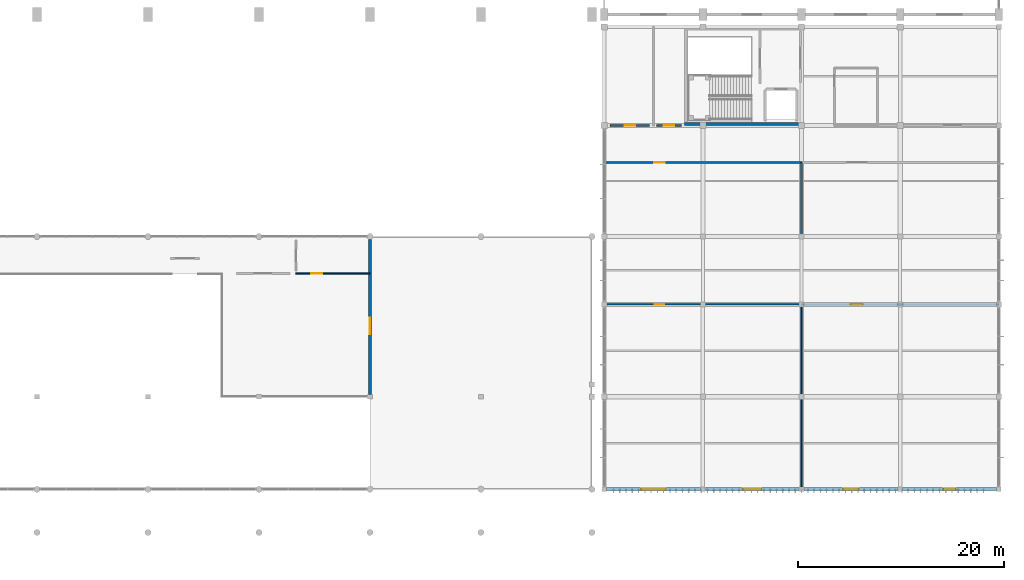
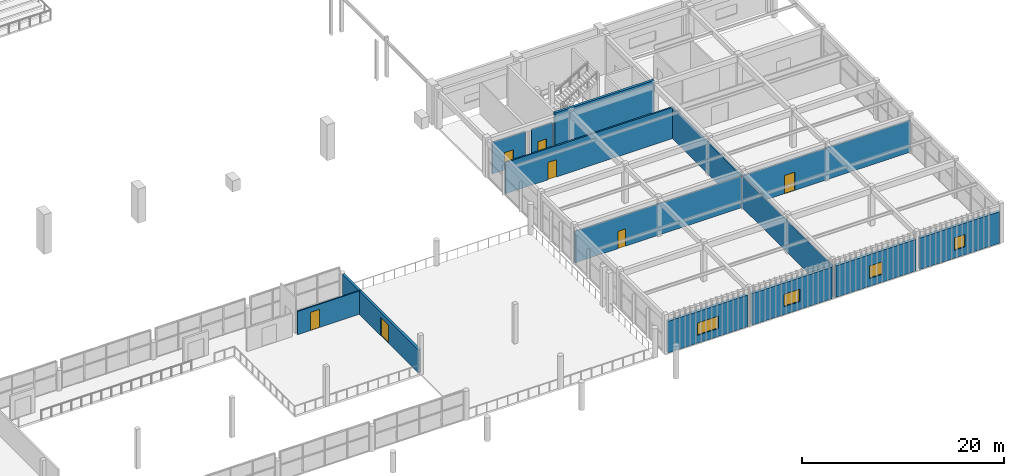
# One storey, part 53 of 74: 14 walls, 7 doors, 4 windows, 11 openings.
"""IFC4 building model written with IfcOpenShell, lengths in metres."""

from ifc_helpers import new_model, si_unit, direction, frame, frame_2d, origin, place, context, subcontext, project, spatial, rectangle, extrude, material, layer, layer_set, type_object, element, fill, save


model = new_model("IFC4")

# Units and contexts
model_context = context("Model", 3, precision=1e-05, world=origin(), true_north=direction((0.0, 1.0)))
body_context = subcontext(model_context, "Body", "Model", "MODEL_VIEW")
ifc_project = project(units=[si_unit("LENGTHUNIT", "METRE"), si_unit("AREAUNIT", "SQUARE_METRE"), si_unit("VOLUMEUNIT", "CUBIC_METRE"), si_unit("PLANEANGLEUNIT", "RADIAN"), si_unit("MASSUNIT", "GRAM", prefix="KILO")], contexts=[model_context])

# Site, building, storey
site_placement = place(None, origin())
site = spatial("IfcSite", under=ifc_project, at=site_placement, CompositionType="ELEMENT")
building_placement = place(site_placement, origin())
building = spatial("IfcBuilding", under=site, at=building_placement, Name="Suirenkawa Promenade Aquatics Centre", CompositionType="ELEMENT")
storey_placement = place(building_placement, frame((0.0, 0.0, 4.800048828125)))
storey = spatial("IfcBuildingStorey", under=building, at=storey_placement, Name="L01", CompositionType="ELEMENT", Elevation=4.800048828125)

# Wall, opening, door
ifc_material_1 = material(Name="Autoclaved aerated concrete blockwork Grade 1", Category="masonry")
ifc_layer_1 = layer(ifc_material_1, 0.199951171875, Name="Autoclaved aerated concrete blockwork Grade 1", Category="masonry")
ifc_layer_set_1 = layer_set([ifc_layer_1], Name="Autoclaved aerated concrete blockwork Grade 1")
wall_type_1 = type_object("IfcWallType", Name="WT-COMP-200", PredefinedType="PARTITIONING", material=ifc_layer_set_1)
wall_1_placement = place(storey_placement, frame((175.199951171875, 22.199951171875, 0.0), z_axis=(0.0, 0.0, 1.0), x_axis=(1.0, 0.0, 0.0)))
wall_1 = element("IfcWall", 1, at=wall_1_placement, inside=storey, type_object=wall_type_1, Name="Interior wall WL-PRT-01 W-7369", PredefinedType="PARTITIONING", context=body_context, shape_type="SweptSolid", body=[
    extrude(rectangle(XDim=19.199951171875, YDim=0.199951171875, at=frame_2d((9.60009765625, 0.0))), origin(), (0.0, 0.0, 1.0), 3.824951171875),
])
opening_1_placement = place(wall_1_placement, frame((4.801025390625, 0.0, 0.0)))
opening_1 = element("IfcOpeningElement", 2, at=opening_1_placement, cuts=wall_1, Name="Opening ID-03", PredefinedType="OPENING", context=body_context, shape_type="SweptSolid", body=[
    extrude(rectangle(XDim=1.14990234375, YDim=2.199951171875, at=frame_2d((0.574951171875, 1.10009765625))), frame((0.0, 0.10986328125, 0.0), z_axis=(0.0, -1.0, 0.0), x_axis=(1.0, 0.0, 0.0)), (0.0, 0.0, 1.0), 0.219970703125),
])
ifc_material_2 = material(Name="Steel IS 2062 E350 (Grade 350)", Category="steel")
door_type_1 = type_object("IfcDoorType", Name="DT-FD120-1150x2200", OperationType="NOTDEFINED", PredefinedType="DOOR", material=ifc_material_2)
door_1_placement = place(opening_1_placement, origin())
door_1 = element("IfcDoor", 3, at=door_1_placement, inside=storey, type_object=door_type_1, Name="Interior door ID-03 DR-INT-0216", OperationType="SINGLE_SWING_LEFT", OverallHeight=2.199951171875, OverallWidth=1.14990234375, PredefinedType="DOOR", context=body_context, shape_type="SweptSolid", body=[
    extrude(rectangle(XDim=1.14990234375, YDim=2.199951171875, at=frame_2d((0.574951171875, 1.10009765625))), frame((0.0, 0.02490234375, 0.0), z_axis=(0.0, -1.0, 0.0), x_axis=(1.0, 0.0, 0.0)), (0.0, 0.0, 1.0), 0.050048828125),
])
fill(opening_1, door_1)

# Wall
ifc_material_3 = material(Name="Concrete M40", Category="concrete")
ifc_layer_2 = layer(ifc_material_3, 0.280029296875, Name="Concrete M40", Category="concrete")
ifc_layer_set_2 = layer_set([ifc_layer_2], Name="Concrete M40")
wall_type_2 = type_object("IfcWallType", Name="WT-CORE-280", PredefinedType="SHEAR", material=ifc_layer_set_2)
wall_2_placement = place(storey_placement, frame((163.800048828125, 39.739990234375, 0.0), z_axis=(0.0, 0.0, 1.0), x_axis=(1.0, 0.0, 0.0)))
element("IfcWall", 4, at=wall_2_placement, inside=storey, type_object=wall_type_2, Name="C6 south core wall WL-CORE-02 W-0158", PredefinedType="SHEAR", context=body_context, shape_type="SweptSolid", body=[
    extrude(rectangle(XDim=11.39990234375, YDim=0.280029296875, at=frame_2d((5.699951171875, 0.0))), origin(), (0.0, 0.0, 1.0), 4.800048828125),
])

# Wall, opening, door
ifc_layer_3 = layer(ifc_material_3, 0.27001953125, Name="Concrete M40", Category="concrete")
ifc_layer_set_3 = layer_set([ifc_layer_3], Name="Concrete M40")
wall_type_3 = type_object("IfcWallType", Name="WT-EXT-270", PredefinedType="SOLIDWALL", material=ifc_layer_set_3)
wall_3_placement = place(storey_placement, frame((133.199951171875, 28.4951171875, 0.0), z_axis=(0.0, 0.0, 1.0), x_axis=(0.0, -1.0, 0.0)))
wall_3 = element("IfcWall", 5, at=wall_3_placement, inside=storey, type_object=wall_type_3, Name="Exterior wall WL-EXT-04 W-5047", PredefinedType="SOLIDWALL", context=body_context, shape_type="SweptSolid", body=[
    extrude(rectangle(XDim=15.065185546875, YDim=0.27001953125, at=frame_2d((7.53271484375, 0.0))), origin(), (0.0, 0.0, 1.0), 2.81005859375),
])
opening_2_placement = place(wall_3_placement, frame((7.60009765625, 0.0, 0.0)))
opening_2 = element("IfcOpeningElement", 6, at=opening_2_placement, cuts=wall_3, Name="Opening ED-08", PredefinedType="OPENING", context=body_context, shape_type="SweptSolid", body=[
    extrude(rectangle(XDim=1.60009765625, YDim=2.199951171875, at=frame_2d((0.800048828125, 1.10009765625))), frame((0.0, 0.14501953125, 0.0), z_axis=(0.0, -1.0, 0.0), x_axis=(1.0, 0.0, 0.0)), (0.0, 0.0, 1.0), 0.2900390625),
])
ifc_material_4 = material(Name="Anodised aluminium 6063-T6", Category="aluminium")
door_type_2 = type_object("IfcDoorType", Name="DT-EXT-TERR-1600x2200", OperationType="DOUBLE_DOOR_SINGLE_SWING", PredefinedType="DOOR", material=ifc_material_4)
door_2_placement = place(opening_2_placement, origin())
door_2 = element("IfcDoor", 7, at=door_2_placement, inside=storey, type_object=door_type_2, Name="Exterior door ED-08 DR-EXT-031", OperationType="DOUBLE_DOOR_SINGLE_SWING", OverallHeight=2.199951171875, OverallWidth=1.60009765625, PredefinedType="DOOR", context=body_context, shape_type="SweptSolid", body=[
    extrude(rectangle(XDim=1.60009765625, YDim=2.199951171875, at=frame_2d((0.800048828125, 1.10009765625))), frame((0.0, 0.02490234375, 0.0), z_axis=(0.0, -1.0, 0.0), x_axis=(1.0, 0.0, 0.0)), (0.0, 0.0, 1.0), 0.050048828125),
])
fill(opening_2, door_2)

# Wall, opening, window
ifc_layer_4 = layer(ifc_material_3, 0.31005859375, Name="Concrete M40", Category="concrete")
ifc_layer_set_4 = layer_set([ifc_layer_4], Name="Concrete M40")
wall_type_4 = type_object("IfcWallType", Name="WT-EXT-310", PredefinedType="SOLIDWALL", material=ifc_layer_set_4)
wall_4_placement = place(storey_placement, frame((165.3701171875, 4.199951171875, 0.0), z_axis=(0.0, 0.0, 1.0), x_axis=(-1.0, 0.0, 0.0)))
wall_4 = element("IfcWall", 8, at=wall_4_placement, inside=storey, type_object=wall_type_4, Name="Exterior wall WL-EXT-02 W-5049", PredefinedType="SOLIDWALL", context=body_context, shape_type="SweptSolid", body=[
    extrude(rectangle(XDim=9.14013671875, YDim=0.31005859375, at=frame_2d((4.570068359375, 0.0))), origin(), (0.0, 0.0, 1.0), 3.824951171875),
])
opening_3_placement = place(wall_4_placement, frame((3.3701171875, 0.0, 0.949951171875)))
opening_3 = element("IfcOpeningElement", 9, at=opening_3_placement, cuts=wall_4, Name="Opening WN-11", PredefinedType="OPENING", context=body_context, shape_type="SweptSolid", body=[
    extrude(rectangle(XDim=2.39990234375, YDim=1.5, at=frame_2d((1.199951171875, 0.75))), frame((0.0, 0.1650390625, 0.0), z_axis=(0.0, -1.0, 0.0), x_axis=(1.0, 0.0, 0.0)), (0.0, 0.0, 1.0), 0.330078125),
])
ifc_material_5 = material(Name="Low-E thermally broken double glazing", Category="glass")
window_type_1 = type_object("IfcWindowType", Name="WNT-STD-2400x1500", PartitioningType="SINGLE_PANEL", PredefinedType="WINDOW", material=ifc_material_5)
window_1_placement = place(opening_3_placement, origin())
window_1 = element("IfcWindow", 10, at=window_1_placement, inside=storey, type_object=window_type_1, Name="Window WN-11 WN-0012", OverallHeight=1.5, OverallWidth=2.39990234375, PartitioningType="SINGLE_PANEL", PredefinedType="WINDOW", context=body_context, shape_type="SweptSolid", body=[
    extrude(rectangle(XDim=2.39990234375, YDim=1.5, at=frame_2d((1.199951171875, 0.75))), frame((0.0, 0.030029296875, 0.0), z_axis=(0.0, -1.0, 0.0), x_axis=(1.0, 0.0, 0.0)), (0.0, 0.0, 1.0), 0.06005859375),
])
fill(opening_3, window_1)

wall_5_placement = place(storey_placement, frame((174.969970703125, 4.199951171875, 0.0), z_axis=(0.0, 0.0, 1.0), x_axis=(-1.0, 0.0, 0.0)))
wall_5 = element("IfcWall", 11, at=wall_5_placement, inside=storey, type_object=wall_type_4, Name="Exterior wall WL-EXT-02 W-5053", PredefinedType="SOLIDWALL", context=body_context, shape_type="SweptSolid", body=[
    extrude(rectangle(XDim=9.139892578125, YDim=0.31005859375, at=frame_2d((4.56982421875, 0.0))), origin(), (0.0, 0.0, 1.0), 3.824951171875),
])
opening_4_placement = place(wall_5_placement, frame((3.669921875, 0.0, 0.949951171875)))
opening_4 = element("IfcOpeningElement", 12, at=opening_4_placement, cuts=wall_5, Name="Opening WN-13", PredefinedType="OPENING", context=body_context, shape_type="SweptSolid", body=[
    extrude(rectangle(XDim=1.800048828125, YDim=1.5, at=frame_2d((0.89990234375, 0.75))), frame((0.0, 0.1650390625, 0.0), z_axis=(0.0, -1.0, 0.0), x_axis=(1.0, 0.0, 0.0)), (0.0, 0.0, 1.0), 0.330078125),
])
window_type_2 = type_object("IfcWindowType", Name="WNT-STD-1800x1500", PartitioningType="SINGLE_PANEL", PredefinedType="WINDOW", material=ifc_material_5)
window_2_placement = place(opening_4_placement, origin())
window_2 = element("IfcWindow", 13, at=window_2_placement, inside=storey, type_object=window_type_2, Name="Window WN-13 WN-0014", OverallHeight=1.5, OverallWidth=1.800048828125, PartitioningType="SINGLE_PANEL", PredefinedType="WINDOW", context=body_context, shape_type="SweptSolid", body=[
    extrude(rectangle(XDim=1.800048828125, YDim=1.5, at=frame_2d((0.89990234375, 0.75))), frame((0.0, 0.030029296875, 0.0), z_axis=(0.0, -1.0, 0.0), x_axis=(1.0, 0.0, 0.0)), (0.0, 0.0, 1.0), 0.06005859375),
])
fill(opening_4, window_2)

wall_6_placement = place(storey_placement, frame((184.570068359375, 4.199951171875, 0.0), z_axis=(0.0, 0.0, 1.0), x_axis=(-1.0, 0.0, 0.0)))
wall_6 = element("IfcWall", 14, at=wall_6_placement, inside=storey, type_object=wall_type_4, Name="Exterior wall WL-EXT-02 W-5056", PredefinedType="SOLIDWALL", context=body_context, shape_type="SweptSolid", body=[
    extrude(rectangle(XDim=9.14013671875, YDim=0.31005859375, at=frame_2d((4.570068359375, 0.0))), origin(), (0.0, 0.0, 1.0), 3.824951171875),
])
opening_5_placement = place(wall_6_placement, frame((3.820068359375, 0.0, 0.949951171875)))
opening_5 = element("IfcOpeningElement", 15, at=opening_5_placement, cuts=wall_6, Name="Opening WN-14", PredefinedType="OPENING", context=body_context, shape_type="SweptSolid", body=[
    extrude(rectangle(XDim=1.5, YDim=1.5, at=frame_2d((0.75, 0.75))), frame((0.0, 0.1650390625, 0.0), z_axis=(0.0, -1.0, 0.0), x_axis=(1.0, 0.0, 0.0)), (0.0, 0.0, 1.0), 0.330078125),
])
window_type_3 = type_object("IfcWindowType", Name="WNT-STD-1500x1500", PartitioningType="SINGLE_PANEL", PredefinedType="WINDOW", material=ifc_material_5)
window_3_placement = place(opening_5_placement, origin())
window_3 = element("IfcWindow", 16, at=window_3_placement, inside=storey, type_object=window_type_3, Name="Window WN-14 WN-0016", OverallHeight=1.5, OverallWidth=1.5, PartitioningType="SINGLE_PANEL", PredefinedType="WINDOW", context=body_context, shape_type="SweptSolid", body=[
    extrude(rectangle(XDim=1.5, YDim=1.5, at=frame_2d((0.75, 0.75))), frame((0.0, 0.030029296875, 0.0), z_axis=(0.0, -1.0, 0.0), x_axis=(1.0, 0.0, 0.0)), (0.0, 0.0, 1.0), 0.06005859375),
])
fill(opening_5, window_3)

wall_7_placement = place(storey_placement, frame((194.169921875, 4.199951171875, 0.0), z_axis=(0.0, 0.0, 1.0), x_axis=(-1.0, 0.0, 0.0)))
wall_7 = element("IfcWall", 17, at=wall_7_placement, inside=storey, type_object=wall_type_4, Name="Exterior wall WL-EXT-02 W-5060", PredefinedType="SOLIDWALL", context=body_context, shape_type="SweptSolid", body=[
    extrude(rectangle(XDim=9.139892578125, YDim=0.31005859375, at=frame_2d((4.56982421875, 0.0))), origin(), (0.0, 0.0, 1.0), 3.824951171875),
])
opening_6_placement = place(wall_7_placement, frame((3.969970703125, 0.0, 0.949951171875)))
opening_6 = element("IfcOpeningElement", 18, at=opening_6_placement, cuts=wall_7, Name="Opening WN-15", PredefinedType="OPENING", context=body_context, shape_type="SweptSolid", body=[
    extrude(rectangle(XDim=1.199951171875, YDim=1.5, at=frame_2d((0.60009765625, 0.75))), frame((0.0, 0.1650390625, 0.0), z_axis=(0.0, -1.0, 0.0), x_axis=(1.0, 0.0, 0.0)), (0.0, 0.0, 1.0), 0.330078125),
])
window_type_4 = type_object("IfcWindowType", Name="WNT-STD-1200x1500", PartitioningType="SINGLE_PANEL", PredefinedType="WINDOW", material=ifc_material_5)
window_4_placement = place(opening_6_placement, origin())
window_4 = element("IfcWindow", 19, at=window_4_placement, inside=storey, type_object=window_type_4, Name="Window WN-15 WN-0017", OverallHeight=1.5, OverallWidth=1.199951171875, PartitioningType="SINGLE_PANEL", PredefinedType="WINDOW", context=body_context, shape_type="SweptSolid", body=[
    extrude(rectangle(XDim=1.199951171875, YDim=1.5, at=frame_2d((0.60009765625, 0.75))), frame((0.0, 0.030029296875, 0.0), z_axis=(0.0, -1.0, 0.0), x_axis=(1.0, 0.0, 0.0)), (0.0, 0.0, 1.0), 0.06005859375),
])
fill(opening_6, window_4)

# Wall, opening, door
ifc_layer_5 = layer(ifc_material_1, 0.179931640625, Name="Autoclaved aerated concrete blockwork Grade 1", Category="masonry")
ifc_layer_set_5 = layer_set([ifc_layer_5], Name="Autoclaved aerated concrete blockwork Grade 1")
wall_type_5 = type_object("IfcWallType", Name="WT-FIRE-180", PredefinedType="PARTITIONING", material=ifc_layer_set_5)
wall_8_placement = place(storey_placement, frame((156.0, 36.0, 0.0), z_axis=(0.0, 0.0, 1.0), x_axis=(1.0, 0.0, 0.0)))
wall_8 = element("IfcWall", 20, at=wall_8_placement, inside=storey, type_object=wall_type_5, Name="Interior wall WL-PRT-02 W-7370", PredefinedType="PARTITIONING", context=body_context, shape_type="SweptSolid", body=[
    extrude(rectangle(XDim=19.199951171875, YDim=0.179931640625, at=frame_2d((9.60009765625, 0.0))), origin(), (0.0, 0.0, 1.0), 3.77490234375),
])
opening_7_placement = place(wall_8_placement, frame((4.8759765625, 0.0, 0.0)))
opening_7 = element("IfcOpeningElement", 21, at=opening_7_placement, cuts=wall_8, Name="Opening ID-07", PredefinedType="OPENING", context=body_context, shape_type="SweptSolid", body=[
    extrude(rectangle(XDim=1.0, YDim=2.10009765625, at=frame_2d((0.5, 1.050048828125))), frame((0.0, 0.099853515625, 0.0), z_axis=(0.0, -1.0, 0.0), x_axis=(1.0, 0.0, 0.0)), (0.0, 0.0, 1.0), 0.199951171875),
])
ifc_material_6 = material(Name="Engineered maple acoustic sports timber", Category="wood")
door_type_3 = type_object("IfcDoorType", Name="DT-FD60-1000x2100", OperationType="NOTDEFINED", PredefinedType="DOOR", material=ifc_material_6)
door_3_placement = place(opening_7_placement, origin())
door_3 = element("IfcDoor", 22, at=door_3_placement, inside=storey, type_object=door_type_3, Name="Interior door ID-07 DR-INT-0217", OperationType="SINGLE_SWING_RIGHT", OverallHeight=2.10009765625, OverallWidth=1.0, PredefinedType="DOOR", context=body_context, shape_type="SweptSolid", body=[
    extrude(rectangle(XDim=1.0, YDim=2.10009765625, at=frame_2d((0.5, 1.050048828125))), frame((0.0, 0.02490234375, 0.0), z_axis=(0.0, -1.0, 0.0), x_axis=(1.0, 0.0, 0.0)), (0.0, 0.0, 1.0), 0.050048828125),
])
fill(opening_7, door_3)

# Wall
wall_9_placement = place(storey_placement, frame((175.199951171875, 22.199951171875, 0.0), z_axis=(0.0, 0.0, 1.0), x_axis=(0.0, 1.0, 0.0)))
element("IfcWall", 23, at=wall_9_placement, inside=storey, type_object=wall_type_5, Name="Interior wall WL-PRT-02 W-7371", PredefinedType="PARTITIONING", context=body_context, shape_type="SweptSolid", body=[
    extrude(rectangle(XDim=13.800048828125, YDim=0.179931640625, at=frame_2d((6.89990234375, 0.0))), origin(), (0.0, 0.0, 1.0), 3.77490234375),
])

# Wall, opening, door
ifc_material_7 = material(Name="Moisture-resistant acoustic gypsum board")
ifc_layer_6 = layer(ifc_material_7, 0.1201171875, Name="Moisture-resistant acoustic gypsum board")
ifc_layer_set_6 = layer_set([ifc_layer_6], Name="Moisture-resistant acoustic gypsum board")
wall_type_6 = type_object("IfcWallType", Name="WT-LIGHT-120", PredefinedType="PARTITIONING", material=ifc_layer_set_6)
wall_10_placement = place(storey_placement, frame((156.0, 22.199951171875, 0.0), z_axis=(0.0, 0.0, 1.0), x_axis=(1.0, 0.0, 0.0)))
wall_10 = element("IfcWall", 24, at=wall_10_placement, inside=storey, type_object=wall_type_6, Name="Interior wall WL-PRT-05 W-7367", PredefinedType="PARTITIONING", context=body_context, shape_type="SweptSolid", body=[
    extrude(rectangle(XDim=19.199951171875, YDim=0.1201171875, at=frame_2d((9.60009765625, 0.0))), origin(), (0.0, 0.0, 1.0), 3.824951171875),
])
opening_8_placement = place(wall_10_placement, frame((4.926025390625, 0.0, 0.0)))
opening_8 = element("IfcOpeningElement", 25, at=opening_8_placement, cuts=wall_10, Name="Opening ID-12", PredefinedType="OPENING", context=body_context, shape_type="SweptSolid", body=[
    extrude(rectangle(XDim=0.89990234375, YDim=2.10009765625, at=frame_2d((0.449951171875, 1.050048828125))), frame((0.0, 0.070068359375, 0.0), z_axis=(0.0, -1.0, 0.0), x_axis=(1.0, 0.0, 0.0)), (0.0, 0.0, 1.0), 0.14013671875),
])
door_type_4 = type_object("IfcDoorType", Name="DT-STD-900x2100", OperationType="NOTDEFINED", PredefinedType="DOOR", material=ifc_material_6)
door_4_placement = place(opening_8_placement, origin())
door_4 = element("IfcDoor", 26, at=door_4_placement, inside=storey, type_object=door_type_4, Name="Interior door ID-12 DR-INT-0215", OperationType="SINGLE_SWING_RIGHT", OverallHeight=2.10009765625, OverallWidth=0.89990234375, PredefinedType="DOOR", context=body_context, shape_type="SweptSolid", body=[
    extrude(rectangle(XDim=0.89990234375, YDim=2.10009765625, at=frame_2d((0.449951171875, 1.050048828125))), frame((0.0, 0.02490234375, 0.0), z_axis=(0.0, -1.0, 0.0), x_axis=(1.0, 0.0, 0.0)), (0.0, 0.0, 1.0), 0.050048828125),
])
fill(opening_8, door_4)

# Wall
wall_11_placement = place(storey_placement, frame((175.199951171875, 4.199951171875, 0.0), z_axis=(0.0, 0.0, 1.0), x_axis=(0.0, 1.0, 0.0)))
element("IfcWall", 27, at=wall_11_placement, inside=storey, type_object=wall_type_6, Name="Interior wall WL-PRT-05 W-7368", PredefinedType="PARTITIONING", context=body_context, shape_type="SweptSolid", body=[
    extrude(rectangle(XDim=18.0, YDim=0.1201171875, at=frame_2d((9.0, 0.0))), origin(), (0.0, 0.0, 1.0), 3.824951171875),
])

# Wall, opening, door
ifc_layer_7 = layer(ifc_material_7, 0.139892578125, Name="Moisture-resistant acoustic gypsum board")
ifc_layer_set_7 = layer_set([ifc_layer_7], Name="Moisture-resistant acoustic gypsum board")
wall_type_7 = type_object("IfcWallType", Name="WT-STD-140", PredefinedType="PARTITIONING", material=ifc_layer_set_7)
wall_12_placement = place(storey_placement, frame((126.0, 25.199951171875, 0.0), z_axis=(0.0, 0.0, 1.0), x_axis=(1.0, 0.0, 0.0)))
wall_12 = element("IfcWall", 28, at=wall_12_placement, inside=storey, type_object=wall_type_7, Name="Interior wall WL-PRT-04 W-7357", PredefinedType="PARTITIONING", context=body_context, shape_type="SweptSolid", body=[
    extrude(rectangle(XDim=7.199951171875, YDim=0.139892578125, at=frame_2d((3.60009765625, 0.0))), origin(), (0.0, 0.0, 1.0), 2.823974609375),
])
opening_9_placement = place(wall_12_placement, frame((1.490966796875, 0.0, 0.0)))
opening_9 = element("IfcOpeningElement", 29, at=opening_9_placement, cuts=wall_12, Name="Opening ID-08", PredefinedType="OPENING", context=body_context, shape_type="SweptSolid", body=[
    extrude(rectangle(XDim=1.050048828125, YDim=2.199951171875, at=frame_2d((0.52490234375, 1.10009765625))), frame((0.0, 0.079833984375, 0.0), z_axis=(0.0, -1.0, 0.0), x_axis=(1.0, 0.0, 0.0)), (0.0, 0.0, 1.0), 0.159912109375),
])
door_type_5 = type_object("IfcDoorType", Name="DT-ACC-1050x2200", OperationType="NOTDEFINED", PredefinedType="DOOR", material=ifc_material_4)
door_5_placement = place(opening_9_placement, origin())
door_5 = element("IfcDoor", 30, at=door_5_placement, inside=storey, type_object=door_type_5, Name="Interior door ID-08 DR-INT-0209", OperationType="SINGLE_SWING_LEFT", OverallHeight=2.199951171875, OverallWidth=1.050048828125, PredefinedType="DOOR", context=body_context, shape_type="SweptSolid", body=[
    extrude(rectangle(XDim=1.050048828125, YDim=2.199951171875, at=frame_2d((0.52490234375, 1.10009765625))), frame((0.0, 0.02490234375, 0.0), z_axis=(0.0, -1.0, 0.0), x_axis=(1.0, 0.0, 0.0)), (0.0, 0.0, 1.0), 0.050048828125),
])
fill(opening_9, door_5)

ifc_layer_8 = layer(ifc_material_1, 0.159912109375, Name="Autoclaved aerated concrete blockwork Grade 1", Category="masonry")
ifc_layer_set_8 = layer_set([ifc_layer_8], Name="Autoclaved aerated concrete blockwork Grade 1")
wall_type_8 = type_object("IfcWallType", Name="WT-WET-160", PredefinedType="PARTITIONING", material=ifc_layer_set_8)
wall_13_placement = place(storey_placement, frame((156.60009765625, 39.60009765625, 0.0), z_axis=(0.0, 0.0, 1.0), x_axis=(1.0, 0.0, 0.0)))
wall_13 = element("IfcWall", 31, at=wall_13_placement, inside=storey, type_object=wall_type_8, Name="Interior wall WL-PRT-03 W-7175", PredefinedType="PARTITIONING", context=body_context, shape_type="SweptSolid", body=[
    extrude(rectangle(XDim=3.7998046875, YDim=0.159912109375, at=frame_2d((1.89990234375, 0.0))), origin(), (0.0, 0.0, 1.0), 3.824951171875),
])
opening_10_placement = place(wall_13_placement, frame((1.39990234375, 0.0, 0.0)))
opening_10 = element("IfcOpeningElement", 32, at=opening_10_placement, cuts=wall_13, Name="Opening ID-07", PredefinedType="OPENING", context=body_context, shape_type="SweptSolid", body=[
    extrude(rectangle(XDim=1.0, YDim=2.10009765625, at=frame_2d((0.5, 1.050048828125))), frame((0.0, 0.08984375, 0.0), z_axis=(0.0, -1.0, 0.0), x_axis=(1.0, 0.0, 0.0)), (0.0, 0.0, 1.0), 0.179931640625),
])
door_6_placement = place(opening_10_placement, origin())
door_6 = element("IfcDoor", 33, at=door_6_placement, inside=storey, type_object=door_type_3, Name="Interior door ID-07 DR-INT-0112", OperationType="SINGLE_SWING_RIGHT", OverallHeight=2.10009765625, OverallWidth=1.0, PredefinedType="DOOR", context=body_context, shape_type="SweptSolid", body=[
    extrude(rectangle(XDim=1.0, YDim=2.10009765625, at=frame_2d((0.5, 1.050048828125))), frame((0.0, 0.02490234375, 0.0), z_axis=(0.0, -1.0, 0.0), x_axis=(1.0, 0.0, 0.0)), (0.0, 0.0, 1.0), 0.050048828125),
])
fill(opening_10, door_6)

wall_14_placement = place(storey_placement, frame((161.10009765625, 39.60009765625, 0.0), z_axis=(0.0, 0.0, 1.0), x_axis=(1.0, 0.0, 0.0)))
wall_14 = element("IfcWall", 34, at=wall_14_placement, inside=storey, type_object=wall_type_8, Name="Interior wall WL-PRT-03 W-7176", PredefinedType="PARTITIONING", context=body_context, shape_type="SweptSolid", body=[
    extrude(rectangle(XDim=2.39990234375, YDim=0.159912109375, at=frame_2d((1.199951171875, 0.0))), origin(), (0.0, 0.0, 1.0), 3.824951171875),
])
opening_11_placement = place(wall_14_placement, frame((0.699951171875, 0.0, 0.0)))
opening_11 = element("IfcOpeningElement", 35, at=opening_11_placement, cuts=wall_14, Name="Opening ID-07", PredefinedType="OPENING", context=body_context, shape_type="SweptSolid", body=[
    extrude(rectangle(XDim=1.0, YDim=2.10009765625, at=frame_2d((0.5, 1.050048828125))), frame((0.0, 0.08984375, 0.0), z_axis=(0.0, -1.0, 0.0), x_axis=(1.0, 0.0, 0.0)), (0.0, 0.0, 1.0), 0.179931640625),
])
door_7_placement = place(opening_11_placement, origin())
door_7 = element("IfcDoor", 36, at=door_7_placement, inside=storey, type_object=door_type_3, Name="Interior door ID-07 DR-INT-0113", OperationType="SINGLE_SWING_LEFT", OverallHeight=2.10009765625, OverallWidth=1.0, PredefinedType="DOOR", context=body_context, shape_type="SweptSolid", body=[
    extrude(rectangle(XDim=1.0, YDim=2.10009765625, at=frame_2d((0.5, 1.050048828125))), frame((0.0, 0.02490234375, 0.0), z_axis=(0.0, -1.0, 0.0), x_axis=(1.0, 0.0, 0.0)), (0.0, 0.0, 1.0), 0.050048828125),
])
fill(opening_11, door_7)

save(model, "model.ifc")
